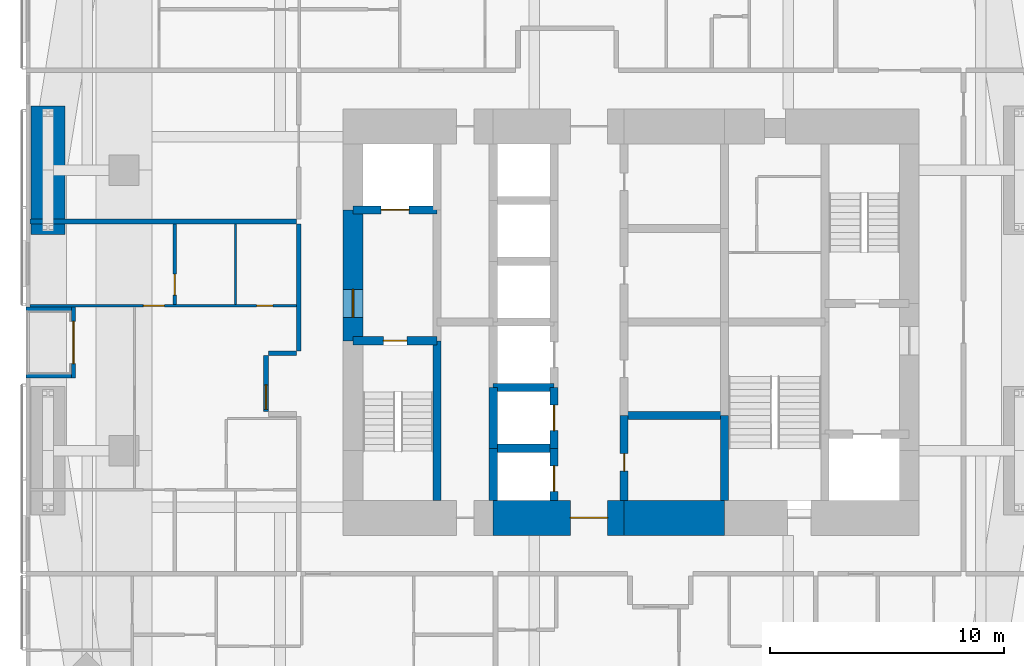
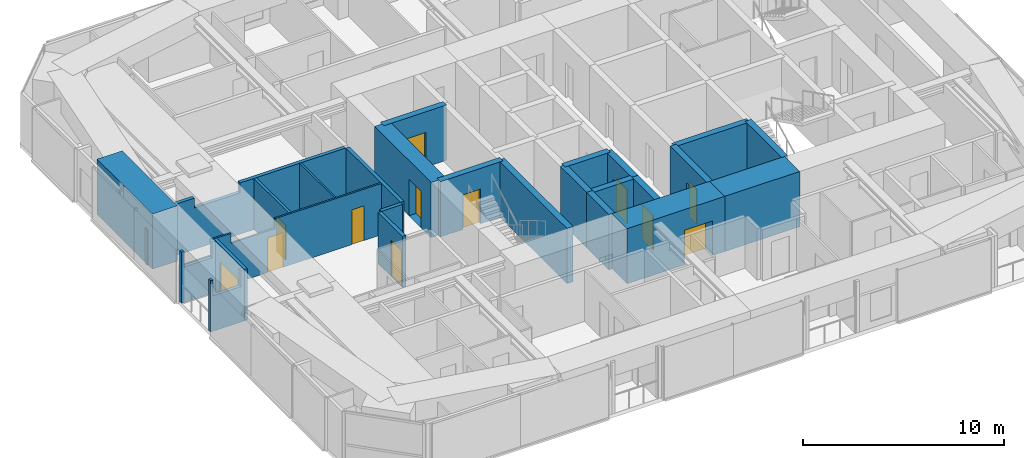
# One storey, part 18 of 23: 26 walls, 12 doors, 12 openings.
"""IFC4 building model written with IfcOpenShell, lengths in metres."""

from ifc_helpers import new_model, si_unit, direction, frame, frame_2d, origin, place, context, subcontext, project, spatial, polyline, rectangle, outline, extrude, material, layer, layer_set, constituent, constituent_set, type_object, element, fill, save


model = new_model("IFC4")

# Units and contexts
model_context = context("Model", 3, precision=1e-05, world=origin(), true_north=direction((0.0, 1.0)))
body_context = subcontext(model_context, "Body", "Model", "MODEL_VIEW")
ifc_project = project(units=[si_unit("LENGTHUNIT", "METRE"), si_unit("AREAUNIT", "SQUARE_METRE"), si_unit("VOLUMEUNIT", "CUBIC_METRE"), si_unit("PLANEANGLEUNIT", "RADIAN"), si_unit("MASSUNIT", "GRAM", prefix="KILO")], contexts=[model_context])

# Site, building, storey
site_placement = place(None, origin())
site = spatial("IfcSite", under=ifc_project, at=site_placement, CompositionType="ELEMENT")
building_placement = place(site_placement, origin())
building = spatial("IfcBuilding", under=site, at=building_placement, Name="Jalousie Tower", CompositionType="ELEMENT")
storey_placement = place(building_placement, frame((0.0, 0.0, 111.550048828125)))
storey = spatial("IfcBuildingStorey", under=building, at=storey_placement, Name="L30", CompositionType="ELEMENT", Elevation=111.550048828125)

# Wall, opening, door
ifc_material_1 = material(Name="Concrete block ASTM C90", Category="concrete")
ifc_constituent_1 = constituent(ifc_material_1, Name="Body")
ifc_material_2 = material(Name="Render")
ifc_constituent_2 = constituent(ifc_material_2, Name="Finish")
ifc_constituent_set_1 = constituent_set(constituents=[ifc_constituent_1, ifc_constituent_2])
wall_type_1 = type_object("IfcWallType", Name="BATHROOM WALL 150", PredefinedType="PLUMBINGWALL", material=ifc_constituent_set_1)
wall_1_placement = place(storey_placement, frame((12.375, 19.25, 0.0), z_axis=(0.0, 0.0, 1.0), x_axis=(0.0, 1.0, 0.0)))
wall_1 = element("IfcWall", 1, at=wall_1_placement, inside=storey, type_object=wall_type_1, Name="Bathroom Wall 150 L30", PredefinedType="PLUMBINGWALL", context=body_context, shape_type="SweptSolid", body=[
    extrude(rectangle(XDim=3.449951171875, YDim=0.14990234375, at=frame_2d((1.72509765625, 0.0))), origin(), (0.0, 0.0, 1.0), 3.10986328125),
])
opening_1_placement = place(wall_1_placement, frame((0.39990234375, 0.0, 0.0)))
opening_1 = element("IfcOpeningElement", 2, at=opening_1_placement, cuts=wall_1, Name="Opening D3", PredefinedType="OPENING", context=body_context, shape_type="SweptSolid", body=[
    extrude(rectangle(XDim=0.89990234375, YDim=2.10009765625, at=frame_2d((0.449951171875, 1.050048828125))), frame((0.0, 0.0849609375, 0.0), z_axis=(0.0, -1.0, 0.0), x_axis=(1.0, 0.0, 0.0)), (0.0, 0.0, 1.0), 0.169921875),
])
ifc_material_3 = material(Name="Timber door", Category="wood")
door_type_1 = type_object("IfcDoorType", Name="BATHROOM DOOR 900", OperationType="SINGLE_SWING_LEFT", PredefinedType="DOOR", material=ifc_material_3)
door_1_placement = place(opening_1_placement, frame((0.89990234375, 0.0, 0.0), z_axis=(0.0, 0.0, 1.0), x_axis=(-1.0, 0.0, 0.0)))
door_1 = element("IfcDoor", 3, at=door_1_placement, inside=storey, type_object=door_type_1, Name="Apartment 3005 bedroom 2 bathroom door", OperationType="SINGLE_SWING_RIGHT", OverallHeight=2.10009765625, OverallWidth=0.89990234375, PredefinedType="DOOR", context=body_context, shape_type="SweptSolid", body=[
    extrude(rectangle(XDim=0.89990234375, YDim=2.10009765625, at=frame_2d((0.449951171875, 1.050048828125))), frame((0.0, 0.02490234375, 0.0), z_axis=(0.0, -1.0, 0.0), x_axis=(1.0, 0.0, 0.0)), (0.0, 0.0, 1.0), 0.050048828125),
])
fill(opening_1, door_1)

ifc_material_4 = material(Name="Concrete f'c 120 MPa", Category="concrete")
ifc_layer_1 = layer(ifc_material_4, 1.5)
ifc_layer_set_1 = layer_set([ifc_layer_1], Name="Concrete f'c 120 MPa")
wall_type_2 = type_object("IfcWallType", Name="CORE WALL 1500", PredefinedType="SHEAR", material=ifc_layer_set_1)
wall_2_placement = place(storey_placement, frame((26.0, 10.125, 0.0), z_axis=(0.0, 0.0, 1.0), x_axis=(1.0, 0.0, 0.0)))
wall_2 = element("IfcWall", 4, at=wall_2_placement, inside=storey, type_object=wall_type_2, Name="Core wall SB L30", PredefinedType="SHEAR", context=body_context, shape_type="SweptSolid", body=[
    extrude(rectangle(XDim=5.60009765625, YDim=1.5, at=frame_2d((2.800048828125, 0.0))), origin(), (0.0, 0.0, 1.0), 3.349853515625),
])
opening_2_placement = place(wall_2_placement, frame((3.300048828125, 0.0, 0.0)))
opening_2 = element("IfcOpeningElement", 5, at=opening_2_placement, cuts=wall_2, Name="Opening D15", PredefinedType="OPENING", context=body_context, shape_type="SweptSolid", body=[
    extrude(rectangle(XDim=1.60009765625, YDim=2.10009765625, at=frame_2d((0.800048828125, 1.050048828125))), frame((0.0, 0.760009765625, 0.0), z_axis=(0.0, -1.0, 0.0), x_axis=(1.0, 0.0, 0.0)), (0.0, 0.0, 1.0), 1.52001953125),
])
ifc_material_5 = material(Name="Steel fire door", Category="steel")
door_type_2 = type_object("IfcDoorType", Name="LIFT LOBBY DOOR 1600", OperationType="DOUBLE_DOOR_SINGLE_SWING", PredefinedType="DOOR", material=ifc_material_5)
door_2_placement = place(opening_2_placement, origin())
door_2 = element("IfcDoor", 6, at=door_2_placement, inside=storey, type_object=door_type_2, Name="Lift lobby south door", OperationType="DOUBLE_DOOR_SINGLE_SWING", OverallHeight=2.10009765625, OverallWidth=1.60009765625, PredefinedType="DOOR", context=body_context, shape_type="SweptSolid", body=[
    extrude(rectangle(XDim=1.60009765625, YDim=2.10009765625, at=frame_2d((0.800048828125, 1.050048828125))), frame((0.0, 0.02490234375, 0.0), z_axis=(0.0, -1.0, 0.0), x_axis=(1.0, 0.0, 0.0)), (0.0, 0.0, 1.0), 0.050048828125),
])
fill(opening_2, door_2)

# Walls
wall_3_placement = place(storey_placement, frame((31.60009765625, 10.125, 0.0), z_axis=(0.0, 0.0, 1.0), x_axis=(1.0, 0.0, 0.0)))
element("IfcWall", 7, at=wall_3_placement, inside=storey, type_object=wall_type_2, Name="Core wall SC L30", PredefinedType="SHEAR", context=body_context, shape_type="SweptSolid", body=[
    extrude(rectangle(XDim=4.2998046875, YDim=1.5, at=frame_2d((2.14990234375, 0.0))), origin(), (0.0, 0.0, 1.0), 3.349853515625),
])
ifc_material_6 = material(Name="Concrete f'c 120 MPa", Category="concrete")
ifc_layer_2 = layer(ifc_material_6, 0.35009765625)
ifc_layer_set_2 = layer_set([ifc_layer_2], Name="Concrete f'c 120 MPa")
wall_type_3 = type_object("IfcWallType", Name="CORE WALL 350", PredefinedType="SHEAR", material=ifc_layer_set_2)
wall_4_placement = place(storey_placement, frame((23.60009765625, 10.875, 0.0), z_axis=(0.0, 0.0, 1.0), x_axis=(0.0, 1.0, 0.0)))
element("IfcWall", 8, at=wall_4_placement, inside=storey, type_object=wall_type_3, Name="Core wall X23.6A L30", PredefinedType="SHEAR", context=body_context, shape_type="SweptSolid", body=[
    extrude(rectangle(XDim=6.824951171875, YDim=0.35009765625, at=frame_2d((3.41259765625, 0.0))), origin(), (0.0, 0.0, 1.0), 3.349853515625),
])
wall_5_placement = place(storey_placement, frame((26.0, 10.875, 0.0), z_axis=(0.0, 0.0, 1.0), x_axis=(0.0, 1.0, 0.0)))
element("IfcWall", 9, at=wall_5_placement, inside=storey, type_object=wall_type_3, Name="Core wall X26A L30", PredefinedType="SHEAR", context=body_context, shape_type="SweptSolid", body=[
    extrude(rectangle(XDim=2.22509765625, YDim=0.35009765625, at=frame_2d((1.112548828125, 0.0))), origin(), (0.0, 0.0, 1.0), 3.349853515625),
])
wall_6_placement = place(storey_placement, frame((26.0, 13.10009765625, 0.0), z_axis=(0.0, 0.0, 1.0), x_axis=(0.0, 1.0, 0.0)))
element("IfcWall", 10, at=wall_6_placement, inside=storey, type_object=wall_type_3, Name="Core wall X26B L30", PredefinedType="SHEAR", context=body_context, shape_type="SweptSolid", body=[
    extrude(rectangle(XDim=2.599853515625, YDim=0.35009765625, at=frame_2d((1.2998046875, 0.0))), origin(), (0.0, 0.0, 1.0), 3.349853515625),
])

# Wall, opening, door
wall_7_placement = place(storey_placement, frame((28.60009765625, 10.875, 0.0), z_axis=(0.0, 0.0, 1.0), x_axis=(0.0, 1.0, 0.0)))
wall_7 = element("IfcWall", 11, at=wall_7_placement, inside=storey, type_object=wall_type_3, Name="Core wall X28.6A L30", PredefinedType="SHEAR", context=body_context, shape_type="SweptSolid", body=[
    extrude(rectangle(XDim=2.22509765625, YDim=0.35009765625, at=frame_2d((1.112548828125, 0.0))), origin(), (0.0, 0.0, 1.0), 3.349853515625),
])
opening_3_placement = place(wall_7_placement, frame((0.375, 0.0, 0.0)))
opening_3 = element("IfcOpeningElement", 12, at=opening_3_placement, cuts=wall_7, Name="Opening LD1", PredefinedType="OPENING", context=body_context, shape_type="SweptSolid", body=[
    extrude(rectangle(XDim=1.10009765625, YDim=2.10009765625, at=frame_2d((0.550048828125, 1.050048828125))), frame((0.0, 0.18505859375, 0.0), z_axis=(0.0, -1.0, 0.0), x_axis=(1.0, 0.0, 0.0)), (0.0, 0.0, 1.0), 0.3701171875),
])
ifc_material_7 = material(Name="Steel lift landing door", Category="steel")
door_type_3 = type_object("IfcDoorType", Name="LIFT LANDING DOOR 1100", OperationType="SLIDING_TO_LEFT", PredefinedType="DOOR", material=ifc_material_7)
door_3_placement = place(opening_3_placement, origin())
door_3 = element("IfcDoor", 13, at=door_3_placement, inside=storey, type_object=door_type_3, Name="Lift P1 landing door", OperationType="SLIDING_TO_LEFT", OverallHeight=2.10009765625, OverallWidth=1.10009765625, PredefinedType="DOOR", context=body_context, shape_type="SweptSolid", body=[
    extrude(rectangle(XDim=1.10009765625, YDim=2.10009765625, at=frame_2d((0.550048828125, 1.050048828125))), frame((0.0, 0.02490234375, 0.0), z_axis=(0.0, -1.0, 0.0), x_axis=(1.0, 0.0, 0.0)), (0.0, 0.0, 1.0), 0.050048828125),
])
fill(opening_3, door_3)

wall_8_placement = place(storey_placement, frame((28.60009765625, 13.10009765625, 0.0), z_axis=(0.0, 0.0, 1.0), x_axis=(0.0, 1.0, 0.0)))
wall_8 = element("IfcWall", 14, at=wall_8_placement, inside=storey, type_object=wall_type_3, Name="Core wall X28.6B L30", PredefinedType="SHEAR", context=body_context, shape_type="SweptSolid", body=[
    extrude(rectangle(XDim=2.599853515625, YDim=0.35009765625, at=frame_2d((1.2998046875, 0.0))), origin(), (0.0, 0.0, 1.0), 3.349853515625),
])
opening_4_placement = place(wall_8_placement, frame((0.75, 0.0, 0.0)))
opening_4 = element("IfcOpeningElement", 15, at=opening_4_placement, cuts=wall_8, Name="Opening LD1", PredefinedType="OPENING", context=body_context, shape_type="SweptSolid", body=[
    extrude(rectangle(XDim=1.10009765625, YDim=2.10009765625, at=frame_2d((0.550048828125, 1.050048828125))), frame((0.0, 0.18505859375, 0.0), z_axis=(0.0, -1.0, 0.0), x_axis=(1.0, 0.0, 0.0)), (0.0, 0.0, 1.0), 0.3701171875),
])
door_4_placement = place(opening_4_placement, origin())
door_4 = element("IfcDoor", 16, at=door_4_placement, inside=storey, type_object=door_type_3, Name="Lift P2 landing door", OperationType="SLIDING_TO_LEFT", OverallHeight=2.10009765625, OverallWidth=1.10009765625, PredefinedType="DOOR", context=body_context, shape_type="SweptSolid", body=[
    extrude(rectangle(XDim=1.10009765625, YDim=2.10009765625, at=frame_2d((0.550048828125, 1.050048828125))), frame((0.0, 0.02490234375, 0.0), z_axis=(0.0, -1.0, 0.0), x_axis=(1.0, 0.0, 0.0)), (0.0, 0.0, 1.0), 0.050048828125),
])
fill(opening_4, door_4)

wall_9_placement = place(storey_placement, frame((31.60009765625, 10.875, 0.0), z_axis=(0.0, 0.0, 1.0), x_axis=(0.0, 1.0, 0.0)))
wall_9 = element("IfcWall", 17, at=wall_9_placement, inside=storey, type_object=wall_type_3, Name="Core wall X31.6A L30", PredefinedType="SHEAR", context=body_context, shape_type="SweptSolid", body=[
    extrude(rectangle(XDim=3.625, YDim=0.35009765625, at=frame_2d((1.8125, 0.0))), origin(), (0.0, 0.0, 1.0), 3.349853515625),
])
opening_5_placement = place(wall_9_placement, frame((1.25, 0.0, 0.0)))
opening_5 = element("IfcOpeningElement", 18, at=opening_5_placement, cuts=wall_9, Name="Opening D16", PredefinedType="OPENING", context=body_context, shape_type="SweptSolid", body=[
    extrude(rectangle(XDim=0.75, YDim=2.10009765625, at=frame_2d((0.375, 1.050048828125))), frame((0.0, 0.18505859375, 0.0), z_axis=(0.0, -1.0, 0.0), x_axis=(1.0, 0.0, 0.0)), (0.0, 0.0, 1.0), 0.3701171875),
])
ifc_material_8 = material(Name="Steel fire door", Category="steel")
door_type_4 = type_object("IfcDoorType", Name="RISER DOOR 750", OperationType="SINGLE_SWING_LEFT", PredefinedType="DOOR", material=ifc_material_8)
door_5_placement = place(opening_5_placement, frame((0.75, 0.0, 0.0), z_axis=(0.0, 0.0, 1.0), x_axis=(-1.0, 0.0, 0.0)))
door_5 = element("IfcDoor", 19, at=door_5_placement, inside=storey, type_object=door_type_4, Name="Refuse Room door", OperationType="SINGLE_SWING_RIGHT", OverallHeight=2.10009765625, OverallWidth=0.75, PredefinedType="DOOR", context=body_context, shape_type="SweptSolid", body=[
    extrude(rectangle(XDim=0.75, YDim=2.10009765625, at=frame_2d((0.375, 1.050048828125))), frame((0.0, 0.02490234375, 0.0), z_axis=(0.0, -1.0, 0.0), x_axis=(1.0, 0.0, 0.0)), (0.0, 0.0, 1.0), 0.050048828125),
])
fill(opening_5, door_5)

# Wall
wall_10_placement = place(storey_placement, frame((35.89990234375, 10.875, 0.0), z_axis=(0.0, 0.0, 1.0), x_axis=(0.0, 1.0, 0.0)))
element("IfcWall", 20, at=wall_10_placement, inside=storey, type_object=wall_type_3, Name="Core wall X35.9A L30", PredefinedType="SHEAR", context=body_context, shape_type="SweptSolid", body=[
    extrude(rectangle(XDim=3.625, YDim=0.35009765625, at=frame_2d((1.8125, 0.0))), origin(), (0.0, 0.0, 1.0), 3.349853515625),
])

# Wall, opening, door
wall_11_placement = place(storey_placement, frame((20.0, 17.699951171875, 0.0), z_axis=(0.0, 0.0, 1.0), x_axis=(1.0, 0.0, 0.0)))
wall_11 = element("IfcWall", 21, at=wall_11_placement, inside=storey, type_object=wall_type_3, Name="Core wall Y20-17.7 L30", PredefinedType="SHEAR", context=body_context, shape_type="SweptSolid", body=[
    extrude(rectangle(XDim=3.60009765625, YDim=0.35009765625, at=frame_2d((1.800048828125, 0.0))), origin(), (0.0, 0.0, 1.0), 3.349853515625),
])
opening_6_placement = place(wall_11_placement, frame((1.300048828125, 0.0, 0.0)))
opening_6 = element("IfcOpeningElement", 22, at=opening_6_placement, cuts=wall_11, Name="Opening D10", PredefinedType="OPENING", context=body_context, shape_type="SweptSolid", body=[
    extrude(rectangle(XDim=1.0, YDim=2.10009765625, at=frame_2d((0.5, 1.050048828125))), frame((0.0, 0.18505859375, 0.0), z_axis=(0.0, -1.0, 0.0), x_axis=(1.0, 0.0, 0.0)), (0.0, 0.0, 1.0), 0.3701171875),
])
ifc_material_9 = material(Name="Steel fire door", Category="steel")
door_type_5 = type_object("IfcDoorType", Name="STAIR DOOR 1000", OperationType="SINGLE_SWING_LEFT", PredefinedType="DOOR", material=ifc_material_9)
door_6_placement = place(opening_6_placement, frame((1.0, 0.0, 0.0), z_axis=(0.0, 0.0, 1.0), x_axis=(-1.0, 0.0, 0.0)))
door_6 = element("IfcDoor", 23, at=door_6_placement, inside=storey, type_object=door_type_5, Name="Exit stair A door", OperationType="SINGLE_SWING_RIGHT", OverallHeight=2.10009765625, OverallWidth=1.0, PredefinedType="DOOR", context=body_context, shape_type="SweptSolid", body=[
    extrude(rectangle(XDim=1.0, YDim=2.10009765625, at=frame_2d((0.5, 1.050048828125))), frame((0.0, 0.02490234375, 0.0), z_axis=(0.0, -1.0, 0.0), x_axis=(1.0, 0.0, 0.0)), (0.0, 0.0, 1.0), 0.050048828125),
])
fill(opening_6, door_6)

wall_12_placement = place(storey_placement, frame((20.0, 23.300048828125, 0.0), z_axis=(0.0, 0.0, 1.0), x_axis=(1.0, 0.0, 0.0)))
wall_12 = element("IfcWall", 24, at=wall_12_placement, inside=storey, type_object=wall_type_3, Name="Core wall Y20-23.3 L30", PredefinedType="SHEAR", context=body_context, shape_type="SweptSolid", body=[
    extrude(rectangle(XDim=3.60009765625, YDim=0.35009765625, at=frame_2d((1.800048828125, 0.0))), origin(), (0.0, 0.0, 1.0), 3.349853515625),
])
opening_7_placement = place(wall_12_placement, frame((1.199951171875, 0.0, 0.0)))
opening_7 = element("IfcOpeningElement", 25, at=opening_7_placement, cuts=wall_12, Name="Opening LD2", PredefinedType="OPENING", context=body_context, shape_type="SweptSolid", body=[
    extrude(rectangle(XDim=1.199951171875, YDim=2.10009765625, at=frame_2d((0.60009765625, 1.050048828125))), frame((0.0, 0.18505859375, 0.0), z_axis=(0.0, -1.0, 0.0), x_axis=(1.0, 0.0, 0.0)), (0.0, 0.0, 1.0), 0.3701171875),
])
ifc_material_10 = material(Name="Steel lift landing door", Category="steel")
door_type_6 = type_object("IfcDoorType", Name="LIFT LANDING DOOR 1200", OperationType="SLIDING_TO_LEFT", PredefinedType="DOOR", material=ifc_material_10)
door_7_placement = place(opening_7_placement, origin())
door_7 = element("IfcDoor", 26, at=door_7_placement, inside=storey, type_object=door_type_6, Name="Lift F1 landing door", OperationType="SLIDING_TO_LEFT", OverallHeight=2.10009765625, OverallWidth=1.199951171875, PredefinedType="DOOR", context=body_context, shape_type="SweptSolid", body=[
    extrude(rectangle(XDim=1.199951171875, YDim=2.10009765625, at=frame_2d((0.60009765625, 1.050048828125))), frame((0.0, 0.02490234375, 0.0), z_axis=(0.0, -1.0, 0.0), x_axis=(1.0, 0.0, 0.0)), (0.0, 0.0, 1.0), 0.050048828125),
])
fill(opening_7, door_7)

# Walls
for number, where, z_axis, x_axis, name in (
    (27, (26.0, 13.10009765625, 0.0), (0.0, 0.0, 1.0), (1.0, 0.0, 0.0), "Core wall Y26-13.1 L30"),
    (28, (26.0, 15.699951171875, 0.0), (0.0, 0.0, 1.0), (1.0, 0.0, 0.0), "Core wall Y26-15.7 L30"),
):
    element("IfcWall", number, at=place(storey_placement, frame(where, z_axis=z_axis, x_axis=x_axis)), inside=storey, type_object=wall_type_3, Name=name, PredefinedType="SHEAR", context=body_context, shape_type="SweptSolid", body=[
        extrude(rectangle(XDim=2.60009765625, YDim=0.35009765625, at=frame_2d((1.300048828125, 0.0))), origin(), (0.0, 0.0, 1.0), 3.349853515625),
    ])
wall_13_placement = place(storey_placement, frame((31.60009765625, 14.5, 0.0), z_axis=(0.0, 0.0, 1.0), x_axis=(1.0, 0.0, 0.0)))
element("IfcWall", 29, at=wall_13_placement, inside=storey, type_object=wall_type_3, Name="Core wall Y31.6-14.5 L30", PredefinedType="SHEAR", context=body_context, shape_type="SweptSolid", body=[
    extrude(rectangle(XDim=4.2998046875, YDim=0.35009765625, at=frame_2d((2.14990234375, 0.0))), origin(), (0.0, 0.0, 1.0), 3.349853515625),
])

# Wall, opening, door
ifc_material_11 = material(Name="Concrete f'c 120 MPa", Category="concrete")
ifc_layer_3 = layer(ifc_material_11, 0.85009765625)
ifc_layer_set_3 = layer_set([ifc_layer_3], Name="Concrete f'c 120 MPa")
wall_type_4 = type_object("IfcWallType", Name="CORE WALL 850", PredefinedType="SHEAR", material=ifc_layer_set_3)
wall_14_placement = place(storey_placement, frame((20.0, 23.300048828125, 0.0), z_axis=(0.0, 0.0, 1.0), x_axis=(0.0, -1.0, 0.0)))
wall_14 = element("IfcWall", 30, at=wall_14_placement, inside=storey, type_object=wall_type_4, Name="Core wall WB L30", PredefinedType="SHEAR", context=body_context, shape_type="SweptSolid", body=[
    extrude(rectangle(XDim=5.60009765625, YDim=0.85009765625, at=frame_2d((2.800048828125, 0.0))), origin(), (0.0, 0.0, 1.0), 3.349853515625),
])
opening_8_placement = place(wall_14_placement, frame((3.39990234375, 0.0, 0.0)))
opening_8 = element("IfcOpeningElement", 31, at=opening_8_placement, cuts=wall_14, Name="Opening D11", PredefinedType="OPENING", context=body_context, shape_type="SweptSolid", body=[
    extrude(rectangle(XDim=1.199951171875, YDim=2.199951171875, at=frame_2d((0.60009765625, 1.10009765625))), frame((0.0, 0.43505859375, 0.0), z_axis=(0.0, -1.0, 0.0), x_axis=(1.0, 0.0, 0.0)), (0.0, 0.0, 1.0), 0.8701171875),
])
ifc_material_12 = material(Name="Steel fire door", Category="steel")
door_type_7 = type_object("IfcDoorType", Name="FIRE DOOR 1200", OperationType="SINGLE_SWING_LEFT", PredefinedType="DOOR", material=ifc_material_12)
door_8_placement = place(opening_8_placement, origin())
door_8 = element("IfcDoor", 32, at=door_8_placement, inside=storey, type_object=door_type_7, Name="Fire-fighting lobby A door", OperationType="SINGLE_SWING_RIGHT", OverallHeight=2.199951171875, OverallWidth=1.199951171875, PredefinedType="DOOR", context=body_context, shape_type="SweptSolid", body=[
    extrude(rectangle(XDim=1.199951171875, YDim=2.199951171875, at=frame_2d((0.60009765625, 1.10009765625))), frame((0.0, 0.02490234375, 0.0), z_axis=(0.0, -1.0, 0.0), x_axis=(1.0, 0.0, 0.0)), (0.0, 0.0, 1.0), 0.050048828125),
])
fill(opening_8, door_8)

# Wall
ifc_material_13 = material(Name="Concrete block ASTM C90", Category="concrete")
ifc_constituent_3 = constituent(ifc_material_13, Name="Body")
ifc_material_14 = material(Name="Render")
ifc_constituent_4 = constituent(ifc_material_14, Name="Finish")
ifc_constituent_set_2 = constituent_set(constituents=[ifc_constituent_3, ifc_constituent_4])
wall_type_5 = type_object("IfcWallType", Name="CORRIDOR WALL 200", PredefinedType="PARTITIONING", material=ifc_constituent_set_2)
wall_15_placement = place(storey_placement, frame((17.675048828125, 17.262451171875, 0.0), z_axis=(0.0, 0.0, 1.0), x_axis=(0.0, 1.0, 0.0)))
element("IfcWall", 33, at=wall_15_placement, inside=storey, type_object=wall_type_5, Name="Corridor Wall 200 L30", PredefinedType="PARTITIONING", context=body_context, shape_type="SweptSolid", body=[
    extrude(rectangle(XDim=5.4375, YDim=0.199951171875, at=frame_2d((2.71875, 0.0))), origin(), (0.0, 0.0, 1.0), 3.10986328125),
])

# Wall, opening, door
wall_16_placement = place(storey_placement, frame((16.27490234375, 14.66259765625, 0.0), z_axis=(0.0, 0.0, 1.0), x_axis=(0.0, 1.0, 0.0)))
wall_16 = element("IfcWall", 34, at=wall_16_placement, inside=storey, type_object=wall_type_5, Name="Corridor Wall 200 L30", PredefinedType="PARTITIONING", context=body_context, shape_type="SweptSolid", body=[
    extrude(rectangle(XDim=2.39990234375, YDim=0.199951171875, at=frame_2d((1.199951171875, 0.0))), origin(), (0.0, 0.0, 1.0), 3.10986328125),
])
opening_9_placement = place(wall_16_placement, frame((0.10009765625, 0.0, 0.0)))
opening_9 = element("IfcOpeningElement", 35, at=opening_9_placement, cuts=wall_16, Name="Opening D1", PredefinedType="OPENING", context=body_context, shape_type="SweptSolid", body=[
    extrude(rectangle(XDim=1.050048828125, YDim=2.199951171875, at=frame_2d((0.52490234375, 1.10009765625))), frame((0.0, 0.10986328125, 0.0), z_axis=(0.0, -1.0, 0.0), x_axis=(1.0, 0.0, 0.0)), (0.0, 0.0, 1.0), 0.219970703125),
])
ifc_material_15 = material(Name="Timber fire door", Category="wood")
door_type_8 = type_object("IfcDoorType", Name="APARTMENT ENTRANCE DOOR 1050", OperationType="SINGLE_SWING_LEFT", PredefinedType="DOOR", material=ifc_material_15)
door_9_placement = place(opening_9_placement, origin())
door_9 = element("IfcDoor", 36, at=door_9_placement, inside=storey, type_object=door_type_8, Name="Apartment 3005 entrance", OperationType="SINGLE_SWING_LEFT", OverallHeight=2.199951171875, OverallWidth=1.050048828125, PredefinedType="DOOR", context=body_context, shape_type="SweptSolid", body=[
    extrude(rectangle(XDim=1.050048828125, YDim=2.199951171875, at=frame_2d((0.52490234375, 1.10009765625))), frame((0.0, 0.02490234375, 0.0), z_axis=(0.0, -1.0, 0.0), x_axis=(1.0, 0.0, 0.0)), (0.0, 0.0, 1.0), 0.050048828125),
])
fill(opening_9, door_9)

# Wall
wall_17_placement = place(storey_placement, frame((17.574951171875, 17.16259765625, 0.0), z_axis=(0.0, 0.0, 1.0), x_axis=(-1.0, 0.0, 0.0)))
element("IfcWall", 37, at=wall_17_placement, inside=storey, type_object=wall_type_5, Name="Corridor Wall 200 L30", PredefinedType="PARTITIONING", context=body_context, shape_type="SweptSolid", body=[
    extrude(rectangle(XDim=1.199951171875, YDim=0.199951171875, at=frame_2d((0.60009765625, 0.0))), origin(), (0.0, 0.0, 1.0), 3.10986328125),
])

# Wall, opening, door
ifc_material_16 = material(Name="Concrete f'c 40 MPa", Category="concrete")
ifc_constituent_5 = constituent(ifc_material_16, Name="Body")
ifc_material_17 = material(Name="Render, pastel sea green")
ifc_constituent_6 = constituent(ifc_material_17, Name="Finish")
ifc_constituent_set_3 = constituent_set(constituents=[ifc_constituent_5, ifc_constituent_6])
wall_type_6 = type_object("IfcWallType", Name="EXTERNAL WALL 175 SEA GREEN RENDER", PredefinedType="SOLIDWALL", material=ifc_constituent_set_3)
wall_18_placement = place(storey_placement, frame((8.03759765625, 19.14990234375, 0.0), z_axis=(0.0, 0.0, 1.0), x_axis=(0.0, -1.0, 0.0)))
wall_18 = element("IfcWall", 38, at=wall_18_placement, inside=storey, type_object=wall_type_6, Name="External Wall 175 Sea Green Render L30", PredefinedType="SOLIDWALL", context=body_context, shape_type="SweptSolid", body=[
    extrude(rectangle(XDim=3.0498046875, YDim=0.175048828125, at=frame_2d((1.52490234375, 0.0))), origin(), (0.0, 0.0, 1.0), 3.10986328125),
])
opening_10_placement = place(wall_18_placement, frame((0.625, 0.0, 0.0)))
opening_10 = element("IfcOpeningElement", 39, at=opening_10_placement, cuts=wall_18, Name="Opening D-BAL21", PredefinedType="OPENING", context=body_context, shape_type="SweptSolid", body=[
    extrude(rectangle(XDim=1.800048828125, YDim=2.10009765625, at=frame_2d((0.89990234375, 1.050048828125))), frame((0.0, 0.097412109375, 0.0), z_axis=(0.0, -1.0, 0.0), x_axis=(1.0, 0.0, 0.0)), (0.0, 0.0, 1.0), 0.195068359375),
])
ifc_material_18 = material(Name="Aluminium frame, impact-rated glazing", Category="aluminium")
door_type_9 = type_object("IfcDoorType", Name="BALCONY DOOR 1800x2100", OperationType="SLIDING_TO_LEFT", PredefinedType="DOOR", material=ifc_material_18)
door_10_placement = place(opening_10_placement, origin())
door_10 = element("IfcDoor", 40, at=door_10_placement, inside=storey, type_object=door_type_9, Name="Apartment 3005 living and dining room loggia door", OperationType="SLIDING_TO_LEFT", OverallHeight=2.10009765625, OverallWidth=1.800048828125, PredefinedType="DOOR", context=body_context, shape_type="SweptSolid", body=[
    extrude(rectangle(XDim=1.800048828125, YDim=2.10009765625, at=frame_2d((0.89990234375, 1.050048828125))), frame((0.0, 0.02490234375, 0.0), z_axis=(0.0, -1.0, 0.0), x_axis=(1.0, 0.0, 0.0)), (0.0, 0.0, 1.0), 0.050048828125),
])
fill(opening_10, door_10)

# Walls
for number, where, z_axis, x_axis, name in (
    (41, (6.0, 19.0625, 0.0), (0.0, 0.0, 1.0), (1.0, 0.0, 0.0), "External Wall 175 Sea Green Render L30"),
    (42, (6.0, 16.1875, 0.0), (0.0, 0.0, 1.0), (1.0, 0.0, 0.0), "External Wall 175 Sea Green Render L30"),
):
    element("IfcWall", number, at=place(storey_placement, frame(where, z_axis=z_axis, x_axis=x_axis)), inside=storey, type_object=wall_type_6, Name=name, PredefinedType="SOLIDWALL", context=body_context, shape_type="SweptSolid", body=[
        extrude(outline(polyline([(0.0, 0.0), (1.949951171875, 0.0), (1.949951171875, 3.10986328125), (1.75, 3.10986328125), (1.75, 2.14990234375), (0.14990234375, 2.14990234375), (0.14990234375, 3.10986328125), (0.0, 3.10986328125), (0.0, 0.0)])), frame((0.0, 0.08740234375, 0.0), z_axis=(0.0, -1.0, 0.0), x_axis=(1.0, 0.0, 0.0)), (0.0, 0.0, 1.0), 0.175048828125),
    ])

# Wall, openings, doors
ifc_material_19 = material(Name="Gypsum board", Category="gypsum")
ifc_constituent_7 = constituent(ifc_material_19, Name="Body")
ifc_material_20 = material(Name="Light-gauge steel studs ASTM A653 SS Grade 33", Category="steel")
ifc_constituent_8 = constituent(ifc_material_20, Name="Framing")
ifc_constituent_set_4 = constituent_set(constituents=[ifc_constituent_7, ifc_constituent_8])
wall_type_7 = type_object("IfcWallType", Name="PARTITION 100", PredefinedType="PARTITIONING", material=ifc_constituent_set_4)
wall_19_placement = place(storey_placement, frame((6.175048828125, 19.199951171875, 0.0), z_axis=(0.0, 0.0, 1.0), x_axis=(1.0, 0.0, 0.0)))
wall_19 = element("IfcWall", 43, at=wall_19_placement, inside=storey, type_object=wall_type_7, Name="Partition 100 L30", PredefinedType="PARTITIONING", context=body_context, shape_type="SweptSolid", body=[
    extrude(outline(polyline([(0.0, 0.0), (11.39990234375, 0.0), (11.39990234375, 3.10986328125), (5.284912109375, 3.10986328125), (5.284912109375, 2.510009765625), (2.764892578125, 2.510009765625), (2.764892578125, 3.10986328125), (1.635009765625, 3.10986328125), (1.635009765625, 2.14990234375), (0.0, 2.14990234375), (0.0, 3.10986328125), (0.0, 0.0)])), frame((0.0, 0.050048828125, 0.0), z_axis=(0.0, -1.0, 0.0), x_axis=(1.0, 0.0, 0.0)), (0.0, 0.0, 1.0), 0.10009765625),
])
opening_11_placement = place(wall_19_placement, frame((4.85009765625, 0.0, 0.0)))
opening_11 = element("IfcOpeningElement", 44, at=opening_11_placement, cuts=wall_19, Name="Opening D2", PredefinedType="OPENING", context=body_context, shape_type="SweptSolid", body=[
    extrude(rectangle(XDim=0.89990234375, YDim=2.10009765625, at=frame_2d((0.449951171875, 1.050048828125))), frame((0.0, 0.06005859375, 0.0), z_axis=(0.0, -1.0, 0.0), x_axis=(1.0, 0.0, 0.0)), (0.0, 0.0, 1.0), 0.1201171875),
])
opening_12_placement = place(wall_19_placement, frame((9.699951171875, 0.0, 0.0)))
opening_12 = element("IfcOpeningElement", 45, at=opening_12_placement, cuts=wall_19, Name="Opening D4", PredefinedType="OPENING", context=body_context, shape_type="SweptSolid", body=[
    extrude(rectangle(XDim=0.699951171875, YDim=2.10009765625, at=frame_2d((0.35009765625, 1.050048828125))), frame((0.0, 0.06005859375, 0.0), z_axis=(0.0, -1.0, 0.0), x_axis=(1.0, 0.0, 0.0)), (0.0, 0.0, 1.0), 0.1201171875),
])
ifc_material_21 = material(Name="Timber door", Category="wood")
door_type_10 = type_object("IfcDoorType", Name="BEDROOM DOOR 900", OperationType="SINGLE_SWING_LEFT", PredefinedType="DOOR", material=ifc_material_21)
door_11_placement = place(opening_11_placement, origin())
door_11 = element("IfcDoor", 46, at=door_11_placement, inside=storey, type_object=door_type_10, Name="Apartment 3005 bedroom 2 door", OperationType="SINGLE_SWING_RIGHT", OverallHeight=2.10009765625, OverallWidth=0.89990234375, PredefinedType="DOOR", context=body_context, shape_type="SweptSolid", body=[
    extrude(rectangle(XDim=0.89990234375, YDim=2.10009765625, at=frame_2d((0.449951171875, 1.050048828125))), frame((0.0, 0.02490234375, 0.0), z_axis=(0.0, -1.0, 0.0), x_axis=(1.0, 0.0, 0.0)), (0.0, 0.0, 1.0), 0.050048828125),
])
fill(opening_11, door_11)
ifc_material_22 = material(Name="Timber door", Category="wood")
door_type_11 = type_object("IfcDoorType", Name="STORE DOOR 700", OperationType="SINGLE_SWING_LEFT", PredefinedType="DOOR", material=ifc_material_22)
door_12_placement = place(opening_12_placement, origin())
door_12 = element("IfcDoor", 47, at=door_12_placement, inside=storey, type_object=door_type_11, Name="Apartment 3005 store door", OperationType="SINGLE_SWING_LEFT", OverallHeight=2.10009765625, OverallWidth=0.699951171875, PredefinedType="DOOR", context=body_context, shape_type="SweptSolid", body=[
    extrude(rectangle(XDim=0.699951171875, YDim=2.10009765625, at=frame_2d((0.35009765625, 1.050048828125))), frame((0.0, 0.02490234375, 0.0), z_axis=(0.0, -1.0, 0.0), x_axis=(1.0, 0.0, 0.0)), (0.0, 0.0, 1.0), 0.050048828125),
])
fill(opening_12, door_12)

# Walls
wall_20_placement = place(storey_placement, frame((14.97509765625, 19.25, 0.0), z_axis=(0.0, 0.0, 1.0), x_axis=(0.0, 1.0, 0.0)))
element("IfcWall", 48, at=wall_20_placement, inside=storey, type_object=wall_type_7, Name="Partition 100 L30", PredefinedType="PARTITIONING", context=body_context, shape_type="SweptSolid", body=[
    extrude(rectangle(XDim=3.449951171875, YDim=0.10009765625, at=frame_2d((1.72509765625, 0.0))), origin(), (0.0, 0.0, 1.0), 3.10986328125),
])
ifc_material_23 = material(Name="Concrete block ASTM C90", Category="concrete")
ifc_constituent_9 = constituent(ifc_material_23, Name="Body")
ifc_material_24 = material(Name="Render")
ifc_constituent_10 = constituent(ifc_material_24, Name="Finish")
ifc_constituent_set_5 = constituent_set(constituents=[ifc_constituent_9, ifc_constituent_10])
wall_type_8 = type_object("IfcWallType", Name="PARTY WALL 200", PredefinedType="PARTITIONING", material=ifc_constituent_set_5)
wall_21_placement = place(storey_placement, frame((6.175048828125, 22.800048828125, 0.0), z_axis=(0.0, 0.0, 1.0), x_axis=(1.0, 0.0, 0.0)))
element("IfcWall", 49, at=wall_21_placement, inside=storey, type_object=wall_type_8, Name="Party Wall 200 L30", PredefinedType="PARTITIONING", context=body_context, shape_type="SweptSolid", body=[
    extrude(outline(polyline([(0.0, 0.0), (11.39990234375, 0.0), (11.39990234375, 3.10986328125), (5.3349609375, 3.10986328125), (5.3349609375, 2.510009765625), (2.715087890625, 2.510009765625), (2.715087890625, 3.10986328125), (1.68505859375, 3.10986328125), (1.68505859375, 2.14990234375), (0.0, 2.14990234375), (0.0, 0.0)])), frame((0.0, 0.10009765625, 0.0), z_axis=(0.0, -1.0, 0.0), x_axis=(1.0, 0.0, 0.0)), (0.0, 0.0, 1.0), 0.199951171875),
])
ifc_material_25 = material(Name="Concrete f'c 120 MPa", Category="concrete")
ifc_layer_4 = layer(ifc_material_25, 1.449951171875)
ifc_layer_set_4 = layer_set([ifc_layer_4], Name="Concrete f'c 120 MPa")
wall_type_9 = type_object("IfcWallType", Name="RC WALL PIER 1450", PredefinedType="SHEAR", material=ifc_layer_set_4)
wall_22_placement = place(storey_placement, frame((6.949951171875, 22.25, 0.0), z_axis=(0.0, 0.0, 1.0), x_axis=(0.0, 1.0, 0.0)))
element("IfcWall", 50, at=wall_22_placement, inside=storey, type_object=wall_type_9, Name="Wall pier 13 L30", PredefinedType="SHEAR", context=body_context, shape_type="SweptSolid", body=[
    extrude(rectangle(XDim=5.5, YDim=1.449951171875, at=frame_2d((2.75, 0.0))), origin(), (0.0, 0.0, 1.0), 3.349853515625),
])

save(model, "model.ifc")
